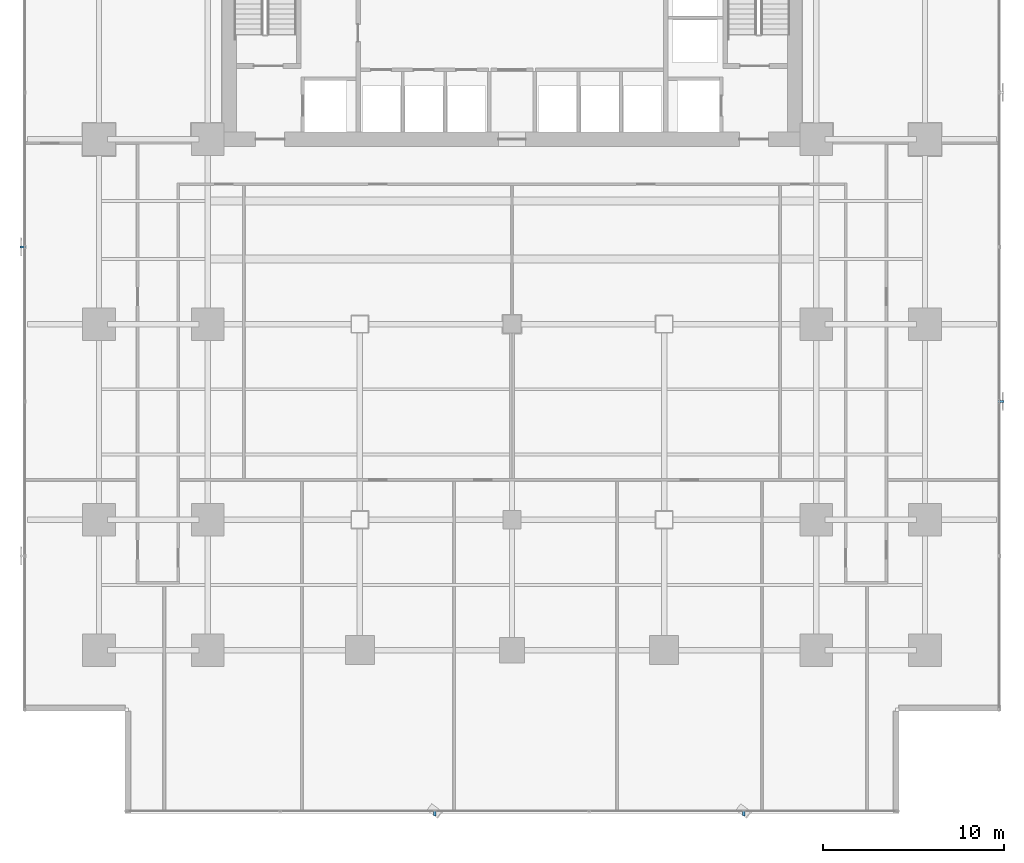
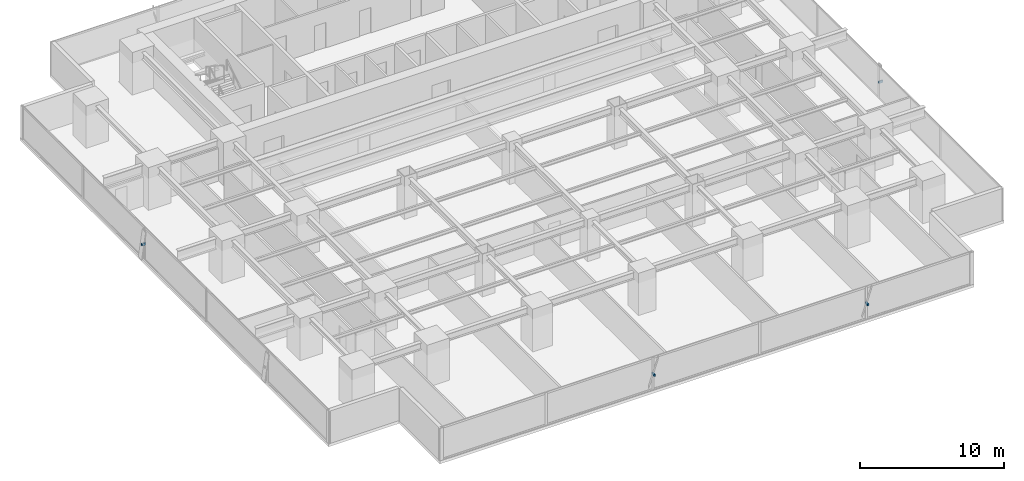
# One storey, part 28 of 34: 4 discrete accessories.
"""IFC4 building model written with IfcOpenShell, lengths in metres."""

import ifcopenshell
import ifcopenshell.guid

model = None  # the IFC model being written
_history = None  # IfcOwnerHistory: only IFC2X3 demands one
_inside = {}  # id of a spatial element -> (the spatial element, [elements in it])
_under = {}  # id of a project, library or spatial element -> (it, [spatial elements below it])
_declared = {}  # id of a project -> (the project, [libraries it declares])
_typed = {}  # id of a type object -> (the type object, [elements of that type])
_made_of = {}  # id of a material, layer set ... -> (it, [elements and type objects made of it])


def new_model(schema):
    """Start an empty IFC model of exactly this schema.

    Asked for "IFC4X3", IfcOpenShell would pick the latest addendum, in which some entities
    have other attributes; the version numbers below select the first issue.
    IFC2X3 requires an IfcOwnerHistory on every rooted entity: one is made here for all.
    """
    global model, _history
    if schema == "IFC4X3":
        model = ifcopenshell.file(schema_version=(4, 3, 0, 0))
    else:
        model = ifcopenshell.file(schema=schema)
    _inside.clear()
    _under.clear()
    _declared.clear()
    _typed.clear()
    _made_of.clear()
    _history = None
    if model.schema == "IFC2X3":
        org = make("IfcOrganization", Name="unknown")
        user = make(
            "IfcPersonAndOrganization",
            ThePerson=make("IfcPerson", FamilyName="unknown"),
            TheOrganization=org,
        )
        app = make(
            "IfcApplication",
            ApplicationDeveloper=org,
            Version="unknown",
            ApplicationFullName="unknown",
            ApplicationIdentifier="unknown",
        )
        _history = make(
            "IfcOwnerHistory",
            OwningUser=user,
            OwningApplication=app,
            ChangeAction="ADDED",
            CreationDate=0,
        )
    return model


def make(cls, **values):
    """One entity of the class cls with the attributes given. An attribute that is None is left unset."""
    return model.create_entity(
        cls, **{name: value for name, value in values.items() if value is not None}
    )


def rooted(cls, **values):
    """An entity with a GlobalId (a new one), such as an element, a storey or a relation."""
    return make(cls, GlobalId=ifcopenshell.guid.new(), OwnerHistory=_history, **values)


def si_unit(unit_type, name, prefix=None):
    """IfcSIUnit, for example si_unit("LENGTHUNIT", "METRE", prefix="MILLI")."""
    return make("IfcSIUnit", UnitType=unit_type, Prefix=prefix, Name=name)


def assignment(units):
    """IfcUnitAssignment: the units of a project."""
    return None if units is None else make("IfcUnitAssignment", Units=units)


def point(xyz):
    """IfcCartesianPoint."""
    return None if xyz is None else make("IfcCartesianPoint", Coordinates=xyz)


def direction(xyz):
    """IfcDirection."""
    return None if xyz is None else make("IfcDirection", DirectionRatios=xyz)


def frame(location, z_axis=None, x_axis=None):
    """IfcAxis2Placement3D, a coordinate frame: its origin and axes. An axis left out is left unset."""
    return make(
        "IfcAxis2Placement3D",
        Location=point(location),
        Axis=direction(z_axis),
        RefDirection=direction(x_axis),
    )


def frame_2d(location, x_axis=None):
    """IfcAxis2Placement2D, a coordinate frame in the plane: its origin and x axis."""
    return make(
        "IfcAxis2Placement2D", Location=point(location), RefDirection=direction(x_axis)
    )


def origin():
    """The frame at (0, 0, 0) with its axes left unset."""
    return frame((0.0, 0.0, 0.0))


def origin_2d():
    """The frame at (0, 0) in the plane with its x axis left unset."""
    return frame_2d((0.0, 0.0))


def place(relative_to, where):
    """IfcLocalPlacement: puts the frame where relative to a parent placement (None: the world)."""
    return make(
        "IfcLocalPlacement", PlacementRelTo=relative_to, RelativePlacement=where
    )


def context(
    kind, dimensions, precision=None, world=None, true_north=None, identifier=None
):
    """IfcGeometricRepresentationContext, for example the 3D "Model" context."""
    return make(
        "IfcGeometricRepresentationContext",
        ContextIdentifier=identifier,
        ContextType=kind,
        CoordinateSpaceDimension=dimensions,
        Precision=precision,
        WorldCoordinateSystem=world,
        TrueNorth=true_north,
    )


def subcontext(parent, identifier, kind, view, scale=None):
    """IfcGeometricRepresentationSubContext, for example "Body" below "Model"."""
    return make(
        "IfcGeometricRepresentationSubContext",
        ContextIdentifier=identifier,
        ContextType=kind,
        ParentContext=parent,
        TargetScale=scale,
        TargetView=view,
    )


def project(units=None, contexts=None):
    """IfcProject with its units and contexts."""
    return rooted(
        "IfcProject",
        Name="project",
        RepresentationContexts=contexts,
        UnitsInContext=assignment(units),
    )


def spatial(cls, under=None, at=None, **own):
    """A site, building, storey or space (cls), placed at a placement, below another one or the project."""
    s = rooted(cls, ObjectPlacement=at, **own)
    if under is not None:
        _under.setdefault(under.id(), (under, []))[1].append(s)
    return s


def profile(cls, at=None, kind="AREA", **sizes):
    """A parametric profile (cls). Its sizes go by their IFC names, for example OverallWidth=200.0."""
    return make(cls, ProfileType=kind, Position=at, **sizes)


def rectangle(**sizes):
    """IfcRectangleProfileDef."""
    return profile("IfcRectangleProfileDef", **sizes)


def extrude(swept, where, along, depth):
    """IfcExtrudedAreaSolid: the profile swept, set in the frame where, extruded along a direction by depth."""
    return make(
        "IfcExtrudedAreaSolid",
        SweptArea=swept,
        Position=where,
        ExtrudedDirection=direction(along),
        Depth=depth,
    )


def shape(context_of_items, identifier, shape_type, items):
    """IfcShapeRepresentation: the items that make up one representation, for example the "Body"."""
    return make(
        "IfcShapeRepresentation",
        ContextOfItems=context_of_items,
        RepresentationIdentifier=identifier,
        RepresentationType=shape_type,
        Items=items,
    )


def source(mapping_origin, context_of_items, identifier, shape_type, items):
    """IfcRepresentationMap: a shape defined once, which mapped items show again and again."""
    return make(
        "IfcRepresentationMap",
        MappingOrigin=mapping_origin,
        MappedRepresentation=shape(context_of_items, identifier, shape_type, items),
    )


def transform(
    local_origin,
    x_axis=None,
    y_axis=None,
    z_axis=None,
    scale=None,
    scale2=None,
    scale3=None,
    uniform=True,
):
    """IfcCartesianTransformationOperator3D, or its non-uniform kind. x_axis, y_axis, z_axis: its Axis1, 2, 3."""
    if uniform:
        return make(
            "IfcCartesianTransformationOperator3D",
            Axis1=direction(x_axis),
            Axis2=direction(y_axis),
            LocalOrigin=point(local_origin),
            Scale=scale,
            Axis3=direction(z_axis),
        )
    return make(
        "IfcCartesianTransformationOperator3DnonUniform",
        Axis1=direction(x_axis),
        Axis2=direction(y_axis),
        LocalOrigin=point(local_origin),
        Scale=scale,
        Axis3=direction(z_axis),
        Scale2=scale2,
        Scale3=scale3,
    )


def mapped(mapping_source, mapping_target):
    """IfcMappedItem: shows the shape of a source again, moved by a transform."""
    return make(
        "IfcMappedItem", MappingSource=mapping_source, MappingTarget=mapping_target
    )


def material(Name=None, Category=None):
    """IfcMaterial."""
    return make("IfcMaterial", Name=Name, Category=Category)


def material_profile(
    of_material, cross_section, Name=None, Category=None, Priority=None
):
    """IfcMaterialProfile: a cross section and its material."""
    return make(
        "IfcMaterialProfile",
        Name=Name,
        Material=of_material,
        Profile=cross_section,
        Priority=Priority,
        Category=Category,
    )


def profile_set(profiles, Name=None, composite=None):
    """IfcMaterialProfileSet."""
    return make(
        "IfcMaterialProfileSet",
        Name=Name,
        MaterialProfiles=profiles,
        CompositeProfile=composite,
    )


def made_of(thing, what):
    """Note that an element or type object is made of a material, layer set ...; save() writes the relation."""
    if what is not None:
        _made_of.setdefault(what.id(), (what, []))[1].append(thing)
    return thing


def type_object(cls, material=None, **own):
    """A type object (cls), such as IfcWallType, which elements share."""
    return made_of(rooted(cls, **own), material)


def element(
    cls,
    number,
    at=None,
    inside=None,
    cuts=None,
    type_object=None,
    material=None,
    context=None,
    identifier="Body",
    shape_type=None,
    held_by="IfcProductDefinitionShape",
    body=None,
    shapes=None,
    **own,
):
    """One element of the class cls, such as IfcWall. Its Tag is "e" and its number.

    at: its placement. inside: the storey or other place that contains it. cuts: it is an
    opening in that element (IfcRelVoidsElement). A single representation is given by context,
    identifier, shape_type and body (its items); several are given by shapes. held_by: the class
    of the entity that holds the representations. save() writes the other relations.
    """
    e = rooted(cls, Tag="e%d" % number, ObjectPlacement=at, **own)
    if body is not None:
        shapes = [shape(context, identifier, shape_type, body)]
    if shapes is not None:
        e.Representation = make(held_by, Representations=shapes)
    if inside is not None:
        _inside.setdefault(inside.id(), (inside, []))[1].append(e)
    if cuts is not None:
        rooted(
            "IfcRelVoidsElement", RelatingBuildingElement=cuts, RelatedOpeningElement=e
        )
    if type_object is not None:
        _typed.setdefault(type_object.id(), (type_object, []))[1].append(e)
    return made_of(e, material)


def aggregate(whole, parts):
    """IfcRelAggregates: a whole, such as a stair, and the parts it consists of."""
    return rooted("IfcRelAggregates", RelatingObject=whole, RelatedObjects=parts)


def save(model, path):
    """Write the relations noted so far, then the file.

    IfcRelAggregates (storeys below a building ...), IfcRelContainedInSpatialStructure (elements
    in a storey), IfcRelDefinesByType, IfcRelAssociatesMaterial and IfcRelDeclares: one each for
    every whole, place, type object, material and project.
    """
    for whole, parts in _under.values():
        aggregate(whole, parts)
    for where, things in _inside.values():
        rooted(
            "IfcRelContainedInSpatialStructure",
            RelatedElements=things,
            RelatingStructure=where,
        )
    for kind, things in _typed.values():
        rooted("IfcRelDefinesByType", RelatedObjects=things, RelatingType=kind)
    for what, things in _made_of.values():
        rooted("IfcRelAssociatesMaterial", RelatedObjects=things, RelatingMaterial=what)
    for by, libraries in _declared.values():
        rooted("IfcRelDeclares", RelatingContext=by, RelatedDefinitions=libraries)
    model.write(path)


model = new_model("IFC4")

# Units and contexts
model_context = context("Model", 3, precision=1e-05, world=origin(), true_north=direction((0.0, 1.0)))
body_context = subcontext(model_context, "Body", "Model", "MODEL_VIEW")
ifc_project = project(units=[si_unit("LENGTHUNIT", "METRE"), si_unit("AREAUNIT", "SQUARE_METRE"), si_unit("VOLUMEUNIT", "CUBIC_METRE"), si_unit("PLANEANGLEUNIT", "RADIAN"), si_unit("MASSUNIT", "GRAM", prefix="KILO")], contexts=[model_context])

# Site, building, storey
site_placement = place(None, origin())
site = spatial("IfcSite", under=ifc_project, at=site_placement, CompositionType="ELEMENT")
building_placement = place(site_placement, origin())
building = spatial("IfcBuilding", under=site, at=building_placement, Name="Sumidabori Civic Tower", CompositionType="ELEMENT")
storey_placement = place(building_placement, frame((0.0, 0.0, 34.39990234375)))
storey = spatial("IfcBuildingStorey", under=building, at=storey_placement, Name="L08", CompositionType="ELEMENT", Elevation=34.39990234375)

# Discrete accessories
ifc_material = material(Name="Stainless Steel Hairline Finish", Category="steel")
ifc_material_profile = material_profile(ifc_material, rectangle(XDim=0.1201171875, YDim=0.179931640625, at=origin_2d()), Name="STEEL BRACKET 180x120")
ifc_profile_set = profile_set([ifc_material_profile], Name="Stainless Steel Hairline Finish")
discrete_accessory_type = type_object("IfcDiscreteAccessoryType", Name="AC-BRK-180", PredefinedType="BRACKET", material=ifc_profile_set)
shared_shape = source(origin(), body_context, "Body", "SweptSolid", [
    extrude(rectangle(XDim=0.1201171875, YDim=0.179931640625, at=origin_2d()), origin(), (0.0, 0.0, 1.0), 0.329833984375),
])
for number, where, z_axis, x_axis, name in (
    (1, (-4.263916015625, -26.830078125, 1.360107421875), (0.0, -1.0, 0.0), (1.0, 0.0, 0.0), "Bronze Fin Fixing Bracket L08-02"),
    (2, (12.7919921875, -26.830078125, 1.360107421875), (0.0, -1.0, 0.0), (1.0, 0.0, 0.0), "Bronze Fin Fixing Bracket L08-04"),
    (3, (26.830078125, -4.263916015625, 1.360107421875), (1.0, 0.0, 0.0), (0.0, 1.0, 0.0), "Bronze Fin Fixing Bracket L08-02"),
    (4, (-26.830078125, 4.263916015625, 1.360107421875), (-1.0, 0.0, 0.0), (0.0, -1.0, 0.0), "Bronze Fin Fixing Bracket L08-02"),
):
    element("IfcDiscreteAccessory", number, at=place(storey_placement, frame(where, z_axis=z_axis, x_axis=x_axis)), inside=storey, type_object=discrete_accessory_type, Name=name, PredefinedType="BRACKET", context=body_context, shape_type="MappedRepresentation", body=[
        mapped(shared_shape, transform((0.0, 0.0, 0.0), x_axis=(1.0, 0.0, 0.0), y_axis=(0.0, 1.0, 0.0), z_axis=(0.0, 0.0, 1.0), scale=1.0)),
    ])

save(model, "model.ifc")
